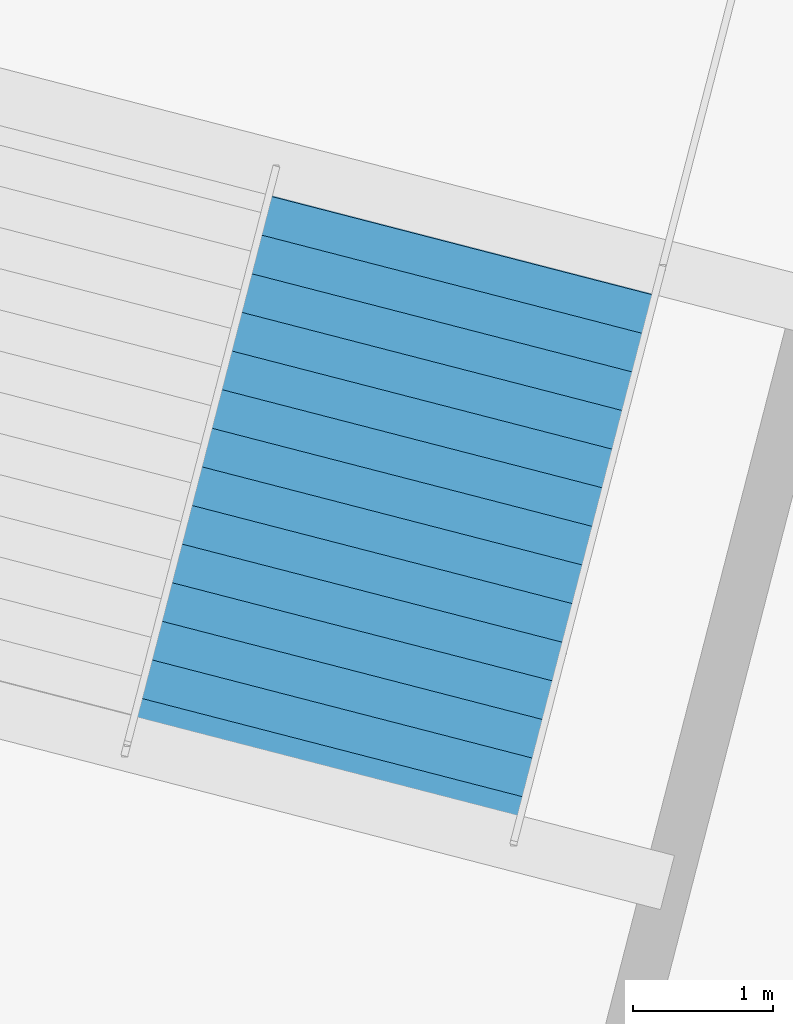
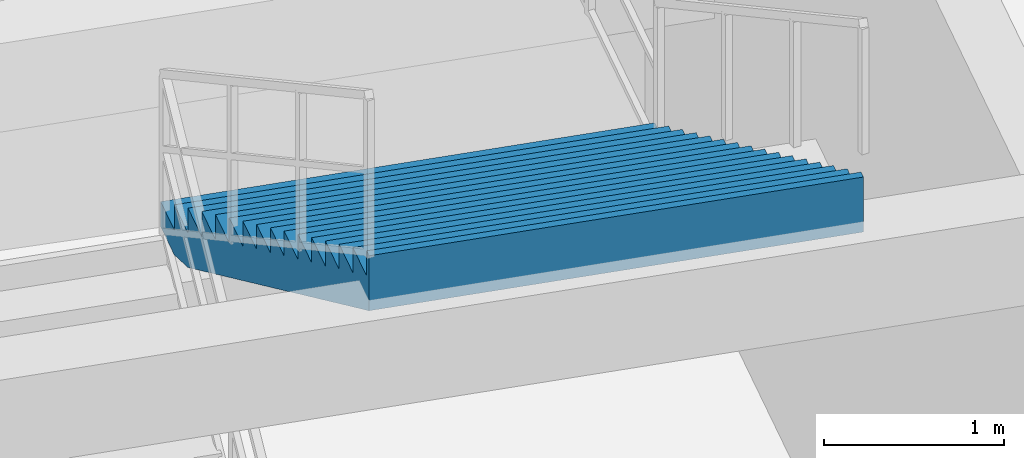
# One storey, part 29 of 49: 1 stair flight, 1 element without a shape of its own.
"""IFC4 building model written with IfcOpenShell, lengths in metres."""

from ifc_helpers import new_model, si_unit, direction, frame, origin, place, context, subcontext, project, spatial, polygons, material, type_object, element, aggregate, save


model = new_model("IFC4")

# Units and contexts
model_context = context("Model", 3, precision=1e-05, world=origin(), true_north=direction((0.0, 1.0)))
body_context = subcontext(model_context, "Body", "Model", "MODEL_VIEW")
ifc_project = project(units=[si_unit("LENGTHUNIT", "METRE"), si_unit("AREAUNIT", "SQUARE_METRE"), si_unit("VOLUMEUNIT", "CUBIC_METRE"), si_unit("PLANEANGLEUNIT", "RADIAN"), si_unit("MASSUNIT", "GRAM", prefix="KILO")], contexts=[model_context])

# Site, building, storey
site_placement = place(None, origin())
site = spatial("IfcSite", under=ifc_project, at=site_placement, CompositionType="ELEMENT")
building_placement = place(site_placement, origin())
building = spatial("IfcBuilding", under=site, at=building_placement, Name="Kazemori Nagisa Stadium", CompositionType="ELEMENT")
storey_placement = place(building_placement, frame((0.0, 0.0, -5.43994140625)))
storey = spatial("IfcBuildingStorey", under=building, at=storey_placement, Name="B1", CompositionType="ELEMENT", Elevation=-5.43994140625)

# Stair, stair flight
ifc_material = material(Name="Concrete C36/45 (Fc36)", Category="concrete")
stair_type = type_object("IfcStairType", Name="Stair_CORE_32", PredefinedType="TWO_STRAIGHT_RUN_STAIR", material=ifc_material)
stair_placement = place(storey_placement, origin())
stair = element("IfcStair", 1, at=stair_placement, inside=storey, type_object=stair_type, Name="Exit stair ST10 B1", PredefinedType="TWO_STRAIGHT_RUN_STAIR")
stair_flight_type = type_object("IfcStairFlightType", Name="Flight_CORE_16", PredefinedType="STRAIGHT", material=ifc_material)
stair_flight_placement = place(storey_placement, frame((208.92919921875, 73.53564453125, 2.719970703125), z_axis=(0.0, 0.0, 1.0), x_axis=(-0.249959194257, -0.968256371632, 0.0)))
stair_flight = element("IfcStairFlight", 2, at=stair_flight_placement, type_object=stair_flight_type, Name="Exit stair ST10 B1 flight 2", NumberOfRisers=16, NumberOfTreads=15, PredefinedType="STRAIGHT", RiserHeight=0.17, TreadLength=0.285, context=body_context, shape_type="Tessellation", body=[
    polygons([(0.0, -1.425048828125, 0.0), (0.0, -1.425048828125, 0.169921875), (0.284912109375, -1.425048828125, 0.169921875), (0.284912109375, -1.425048828125, 0.340087890625), (0.570068359375, -1.425048828125, 0.340087890625), (0.570068359375, -1.425048828125, 0.510009765625), (0.85498046875, -1.425048828125, 0.510009765625), (0.85498046875, -1.425048828125, 0.679931640625), (1.139892578125, -1.425048828125, 0.679931640625), (1.139892578125, -1.425048828125, 0.85009765625), (1.425048828125, -1.425048828125, 0.85009765625), (1.425048828125, -1.425048828125, 1.02001953125), (1.7099609375, -1.425048828125, 1.02001953125), (1.7099609375, -1.425048828125, 1.18994140625), (1.9951171875, -1.425048828125, 1.18994140625), (1.9951171875, -1.425048828125, 1.360107421875), (2.280029296875, -1.425048828125, 1.360107421875), (2.280029296875, -1.425048828125, 1.530029296875), (2.56494140625, -1.425048828125, 1.530029296875), (2.56494140625, -1.425048828125, 1.699951171875), (2.85009765625, -1.425048828125, 1.699951171875), (2.85009765625, -1.425048828125, 1.8701171875), (3.135009765625, -1.425048828125, 1.8701171875), (3.135009765625, -1.425048828125, 2.0400390625), (3.419921875, -1.425048828125, 2.0400390625), (3.419921875, -1.425048828125, 2.2099609375), (3.705078125, -1.425048828125, 2.2099609375), (3.705078125, -1.425048828125, 2.3798828125), (3.989990234375, -1.425048828125, 2.3798828125), (3.989990234375, -1.425048828125, 2.550048828125), (4.27490234375, -1.425048828125, 2.550048828125), (4.27490234375, -1.425048828125, 2.719970703125), (4.324951171875, -1.425048828125, 2.719970703125), (4.324951171875, -1.425048828125, 2.346923828125), (4.27490234375, -1.425048828125, 2.317138671875), (3.989990234375, -1.425048828125, 2.147216796875), (3.705078125, -1.425048828125, 1.977294921875), (3.419921875, -1.425048828125, 1.80712890625), (3.135009765625, -1.425048828125, 1.63720703125), (2.85009765625, -1.425048828125, 1.46728515625), (2.56494140625, -1.425048828125, 1.297119140625), (2.280029296875, -1.425048828125, 1.127197265625), (1.9951171875, -1.425048828125, 0.957275390625), (1.7099609375, -1.425048828125, 0.787109375), (1.425048828125, -1.425048828125, 0.6171875), (1.139892578125, -1.425048828125, 0.447265625), (0.85498046875, -1.425048828125, 0.277099609375), (0.570068359375, -1.425048828125, 0.107177734375), (0.284912109375, -1.425048828125, 0.0), (0.0, -0.08544921875, 0.0), (0.0, -0.08544921875, 0.169921875), (0.284912109375, -0.08544921875, 0.169921875), (0.284912109375, -0.08544921875, 0.340087890625), (0.570068359375, -0.08544921875, 0.340087890625), (0.570068359375, -0.08544921875, 0.510009765625), (0.85498046875, -0.08544921875, 0.510009765625), (0.85498046875, -0.08544921875, 0.679931640625), (1.139892578125, -0.08544921875, 0.679931640625), (1.139892578125, -0.08544921875, 0.85009765625), (1.425048828125, -0.08544921875, 0.85009765625), (1.425048828125, -0.08544921875, 1.02001953125), (1.7099609375, -0.08544921875, 1.02001953125), (1.7099609375, -0.08544921875, 1.18994140625), (1.9951171875, -0.08544921875, 1.18994140625), (1.9951171875, -0.08544921875, 1.360107421875), (2.280029296875, -0.08544921875, 1.360107421875), (2.280029296875, -0.08544921875, 1.530029296875), (2.56494140625, -0.08544921875, 1.530029296875), (2.56494140625, -0.08544921875, 1.699951171875), (2.85009765625, -0.08544921875, 1.699951171875), (2.85009765625, -0.08544921875, 1.8701171875), (3.135009765625, -0.08544921875, 1.8701171875), (3.135009765625, -0.08544921875, 2.0400390625), (3.419921875, -0.08544921875, 2.0400390625), (3.419921875, -0.08544921875, 2.2099609375), (3.705078125, -0.08544921875, 2.2099609375), (3.705078125, -0.08544921875, 2.3798828125), (3.989990234375, -0.08544921875, 2.3798828125), (3.989990234375, -0.08544921875, 2.550048828125), (4.27490234375, -0.08544921875, 2.550048828125), (4.27490234375, -0.08544921875, 2.719970703125), (4.324951171875, -0.08544921875, 2.719970703125), (4.324951171875, -0.08544921875, 2.346923828125), (4.27490234375, -0.08544921875, 2.317138671875), (3.989990234375, -0.08544921875, 2.147216796875), (3.705078125, -0.08544921875, 1.977294921875), (3.419921875, -0.08544921875, 1.80712890625), (3.135009765625, -0.08544921875, 1.63720703125), (2.85009765625, -0.08544921875, 1.46728515625), (2.56494140625, -0.08544921875, 1.297119140625), (2.280029296875, -0.08544921875, 1.127197265625), (1.9951171875, -0.08544921875, 0.957275390625), (1.7099609375, -0.08544921875, 0.787109375), (1.425048828125, -0.08544921875, 0.6171875), (1.139892578125, -0.08544921875, 0.447265625), (0.85498046875, -0.08544921875, 0.277099609375), (0.570068359375, -0.08544921875, 0.107177734375), (0.284912109375, -0.08544921875, 0.0), (0.0, 0.0, 0.0), (0.0, 0.0, 0.169921875), (0.284912109375, 0.0, 0.169921875), (0.284912109375, 0.0, 0.340087890625), (0.570068359375, 0.0, 0.340087890625), (0.570068359375, 0.0, 0.510009765625), (0.85498046875, 0.0, 0.510009765625), (0.85498046875, 0.0, 0.679931640625), (1.139892578125, 0.0, 0.679931640625), (1.139892578125, 0.0, 0.85009765625), (1.425048828125, 0.0, 0.85009765625), (1.425048828125, 0.0, 1.02001953125), (1.7099609375, 0.0, 1.02001953125), (1.7099609375, 0.0, 1.18994140625), (1.9951171875, 0.0, 1.18994140625), (1.9951171875, 0.0, 1.360107421875), (2.280029296875, 0.0, 1.360107421875), (2.280029296875, 0.0, 1.530029296875), (2.56494140625, 0.0, 1.530029296875), (2.56494140625, 0.0, 1.699951171875), (2.85009765625, 0.0, 1.699951171875), (2.85009765625, 0.0, 1.8701171875), (3.135009765625, 0.0, 1.8701171875), (3.135009765625, 0.0, 2.0400390625), (3.419921875, 0.0, 2.0400390625), (3.419921875, 0.0, 2.2099609375), (3.705078125, 0.0, 2.2099609375), (3.705078125, 0.0, 2.3798828125), (3.989990234375, 0.0, 2.3798828125), (3.989990234375, 0.0, 2.550048828125), (4.27490234375, 0.0, 2.550048828125), (4.27490234375, 0.0, 2.719970703125), (4.324951171875, 0.0, 2.719970703125), (4.324951171875, 0.0, 2.346923828125), (4.27490234375, 0.0, 2.317138671875), (3.989990234375, 0.0, 2.147216796875), (3.705078125, 0.0, 1.977294921875), (3.419921875, 0.0, 1.80712890625), (3.135009765625, 0.0, 1.63720703125), (2.85009765625, 0.0, 1.46728515625), (2.56494140625, 0.0, 1.297119140625), (2.280029296875, 0.0, 1.127197265625), (1.9951171875, 0.0, 0.957275390625), (1.7099609375, 0.0, 0.787109375), (1.425048828125, 0.0, 0.6171875), (1.139892578125, 0.0, 0.447265625), (0.85498046875, 0.0, 0.277099609375), (0.570068359375, 0.0, 0.107177734375), (0.284912109375, 0.0, 0.0), (0.0, 0.08544921875, 0.0), (0.0, 0.08544921875, 0.169921875), (0.284912109375, 0.08544921875, 0.169921875), (0.284912109375, 0.08544921875, 0.340087890625), (0.570068359375, 0.08544921875, 0.340087890625), (0.570068359375, 0.08544921875, 0.510009765625), (0.85498046875, 0.08544921875, 0.510009765625), (0.85498046875, 0.08544921875, 0.679931640625), (1.139892578125, 0.08544921875, 0.679931640625), (1.139892578125, 0.08544921875, 0.85009765625), (1.425048828125, 0.08544921875, 0.85009765625), (1.425048828125, 0.08544921875, 1.02001953125), (1.7099609375, 0.08544921875, 1.02001953125), (1.7099609375, 0.08544921875, 1.18994140625), (1.9951171875, 0.08544921875, 1.18994140625), (1.9951171875, 0.08544921875, 1.360107421875), (2.280029296875, 0.08544921875, 1.360107421875), (2.280029296875, 0.08544921875, 1.530029296875), (2.56494140625, 0.08544921875, 1.530029296875), (2.56494140625, 0.08544921875, 1.699951171875), (2.85009765625, 0.08544921875, 1.699951171875), (2.85009765625, 0.08544921875, 1.8701171875), (3.135009765625, 0.08544921875, 1.8701171875), (3.135009765625, 0.08544921875, 2.0400390625), (3.419921875, 0.08544921875, 2.0400390625), (3.419921875, 0.08544921875, 2.2099609375), (3.705078125, 0.08544921875, 2.2099609375), (3.705078125, 0.08544921875, 2.3798828125), (3.989990234375, 0.08544921875, 2.3798828125), (3.989990234375, 0.08544921875, 2.550048828125), (4.27490234375, 0.08544921875, 2.550048828125), (4.27490234375, 0.08544921875, 2.719970703125), (4.324951171875, 0.08544921875, 2.719970703125), (4.324951171875, 0.08544921875, 2.346923828125), (4.27490234375, 0.08544921875, 2.317138671875), (3.989990234375, 0.08544921875, 2.147216796875), (3.705078125, 0.08544921875, 1.977294921875), (3.419921875, 0.08544921875, 1.80712890625), (3.135009765625, 0.08544921875, 1.63720703125), (2.85009765625, 0.08544921875, 1.46728515625), (2.56494140625, 0.08544921875, 1.297119140625), (2.280029296875, 0.08544921875, 1.127197265625), (1.9951171875, 0.08544921875, 0.957275390625), (1.7099609375, 0.08544921875, 0.787109375), (1.425048828125, 0.08544921875, 0.6171875), (1.139892578125, 0.08544921875, 0.447265625), (0.85498046875, 0.08544921875, 0.277099609375), (0.570068359375, 0.08544921875, 0.107177734375), (0.284912109375, 0.08544921875, 0.0), (0.0, 1.425048828125, 0.0), (0.0, 1.425048828125, 0.169921875), (0.284912109375, 1.425048828125, 0.169921875), (0.284912109375, 1.425048828125, 0.340087890625), (0.570068359375, 1.425048828125, 0.340087890625), (0.570068359375, 1.425048828125, 0.510009765625), (0.85498046875, 1.425048828125, 0.510009765625), (0.85498046875, 1.425048828125, 0.679931640625), (1.139892578125, 1.425048828125, 0.679931640625), (1.139892578125, 1.425048828125, 0.85009765625), (1.425048828125, 1.425048828125, 0.85009765625), (1.425048828125, 1.425048828125, 1.02001953125), (1.7099609375, 1.425048828125, 1.02001953125), (1.7099609375, 1.425048828125, 1.18994140625), (1.9951171875, 1.425048828125, 1.18994140625), (1.9951171875, 1.425048828125, 1.360107421875), (2.280029296875, 1.425048828125, 1.360107421875), (2.280029296875, 1.425048828125, 1.530029296875), (2.56494140625, 1.425048828125, 1.530029296875), (2.56494140625, 1.425048828125, 1.699951171875), (2.85009765625, 1.425048828125, 1.699951171875), (2.85009765625, 1.425048828125, 1.8701171875), (3.135009765625, 1.425048828125, 1.8701171875), (3.135009765625, 1.425048828125, 2.0400390625), (3.419921875, 1.425048828125, 2.0400390625), (3.419921875, 1.425048828125, 2.2099609375), (3.705078125, 1.425048828125, 2.2099609375), (3.705078125, 1.425048828125, 2.3798828125), (3.989990234375, 1.425048828125, 2.3798828125), (3.989990234375, 1.425048828125, 2.550048828125), (4.27490234375, 1.425048828125, 2.550048828125), (4.27490234375, 1.425048828125, 2.719970703125), (4.324951171875, 1.425048828125, 2.719970703125), (4.324951171875, 1.425048828125, 2.346923828125), (4.27490234375, 1.425048828125, 2.317138671875), (3.989990234375, 1.425048828125, 2.147216796875), (3.705078125, 1.425048828125, 1.977294921875), (3.419921875, 1.425048828125, 1.80712890625), (3.135009765625, 1.425048828125, 1.63720703125), (2.85009765625, 1.425048828125, 1.46728515625), (2.56494140625, 1.425048828125, 1.297119140625), (2.280029296875, 1.425048828125, 1.127197265625), (1.9951171875, 1.425048828125, 0.957275390625), (1.7099609375, 1.425048828125, 0.787109375), (1.425048828125, 1.425048828125, 0.6171875), (1.139892578125, 1.425048828125, 0.447265625), (0.85498046875, 1.425048828125, 0.277099609375), (0.570068359375, 1.425048828125, 0.107177734375), (0.284912109375, 1.425048828125, 0.0)], [[[1, 2, 51]], [[1, 51, 50]], [[2, 3, 52]], [[2, 52, 51]], [[3, 4, 53]], [[3, 53, 52]], [[4, 5, 54]], [[4, 54, 53]], [[5, 6, 55]], [[5, 55, 54]], [[6, 7, 56]], [[6, 56, 55]], [[7, 8, 57]], [[7, 57, 56]], [[8, 9, 58]], [[8, 58, 57]], [[9, 10, 59]], [[9, 59, 58]], [[10, 11, 60]], [[10, 60, 59]], [[11, 12, 61]], [[11, 61, 60]], [[12, 13, 62]], [[12, 62, 61]], [[13, 14, 63]], [[13, 63, 62]], [[14, 15, 64]], [[14, 64, 63]], [[15, 16, 65]], [[15, 65, 64]], [[16, 17, 66]], [[16, 66, 65]], [[17, 18, 67]], [[17, 67, 66]], [[18, 19, 68]], [[18, 68, 67]], [[19, 20, 69]], [[19, 69, 68]], [[20, 21, 70]], [[20, 70, 69]], [[21, 22, 71]], [[21, 71, 70]], [[22, 23, 72]], [[22, 72, 71]], [[23, 24, 73]], [[23, 73, 72]], [[24, 25, 74]], [[24, 74, 73]], [[25, 26, 75]], [[25, 75, 74]], [[26, 27, 76]], [[26, 76, 75]], [[27, 28, 77]], [[27, 77, 76]], [[28, 29, 78]], [[28, 78, 77]], [[29, 30, 79]], [[29, 79, 78]], [[30, 31, 80]], [[30, 80, 79]], [[31, 32, 81]], [[31, 81, 80]], [[32, 33, 82]], [[32, 82, 81]], [[33, 34, 83]], [[33, 83, 82]], [[34, 35, 84]], [[34, 84, 83]], [[35, 36, 85]], [[35, 85, 84]], [[36, 37, 86]], [[36, 86, 85]], [[37, 38, 87]], [[37, 87, 86]], [[38, 39, 88]], [[38, 88, 87]], [[39, 40, 89]], [[39, 89, 88]], [[40, 41, 90]], [[40, 90, 89]], [[41, 42, 91]], [[41, 91, 90]], [[42, 43, 92]], [[42, 92, 91]], [[43, 44, 93]], [[43, 93, 92]], [[44, 45, 94]], [[44, 94, 93]], [[45, 46, 95]], [[45, 95, 94]], [[46, 47, 96]], [[46, 96, 95]], [[47, 48, 97]], [[47, 97, 96]], [[48, 49, 98]], [[48, 98, 97]], [[49, 1, 50]], [[49, 50, 98]], [[50, 51, 100]], [[50, 100, 99]], [[51, 52, 101]], [[51, 101, 100]], [[52, 53, 102]], [[52, 102, 101]], [[53, 54, 103]], [[53, 103, 102]], [[54, 55, 104]], [[54, 104, 103]], [[55, 56, 105]], [[55, 105, 104]], [[56, 57, 106]], [[56, 106, 105]], [[57, 58, 107]], [[57, 107, 106]], [[58, 59, 108]], [[58, 108, 107]], [[59, 60, 109]], [[59, 109, 108]], [[60, 61, 110]], [[60, 110, 109]], [[61, 62, 111]], [[61, 111, 110]], [[62, 63, 112]], [[62, 112, 111]], [[63, 64, 113]], [[63, 113, 112]], [[64, 65, 114]], [[64, 114, 113]], [[65, 66, 115]], [[65, 115, 114]], [[66, 67, 116]], [[66, 116, 115]], [[67, 68, 117]], [[67, 117, 116]], [[68, 69, 118]], [[68, 118, 117]], [[69, 70, 119]], [[69, 119, 118]], [[70, 71, 120]], [[70, 120, 119]], [[71, 72, 121]], [[71, 121, 120]], [[72, 73, 122]], [[72, 122, 121]], [[73, 74, 123]], [[73, 123, 122]], [[74, 75, 124]], [[74, 124, 123]], [[75, 76, 125]], [[75, 125, 124]], [[76, 77, 126]], [[76, 126, 125]], [[77, 78, 127]], [[77, 127, 126]], [[78, 79, 128]], [[78, 128, 127]], [[79, 80, 129]], [[79, 129, 128]], [[80, 81, 130]], [[80, 130, 129]], [[81, 82, 131]], [[81, 131, 130]], [[82, 83, 132]], [[82, 132, 131]], [[83, 84, 133]], [[83, 133, 132]], [[84, 85, 134]], [[84, 134, 133]], [[85, 86, 135]], [[85, 135, 134]], [[86, 87, 136]], [[86, 136, 135]], [[87, 88, 137]], [[87, 137, 136]], [[88, 89, 138]], [[88, 138, 137]], [[89, 90, 139]], [[89, 139, 138]], [[90, 91, 140]], [[90, 140, 139]], [[91, 92, 141]], [[91, 141, 140]], [[92, 93, 142]], [[92, 142, 141]], [[93, 94, 143]], [[93, 143, 142]], [[94, 95, 144]], [[94, 144, 143]], [[95, 96, 145]], [[95, 145, 144]], [[96, 97, 146]], [[96, 146, 145]], [[97, 98, 147]], [[97, 147, 146]], [[98, 50, 99]], [[98, 99, 147]], [[99, 100, 149]], [[99, 149, 148]], [[100, 101, 150]], [[100, 150, 149]], [[101, 102, 151]], [[101, 151, 150]], [[102, 103, 152]], [[102, 152, 151]], [[103, 104, 153]], [[103, 153, 152]], [[104, 105, 154]], [[104, 154, 153]], [[105, 106, 155]], [[105, 155, 154]], [[106, 107, 156]], [[106, 156, 155]], [[107, 108, 157]], [[107, 157, 156]], [[108, 109, 158]], [[108, 158, 157]], [[109, 110, 159]], [[109, 159, 158]], [[110, 111, 160]], [[110, 160, 159]], [[111, 112, 161]], [[111, 161, 160]], [[112, 113, 162]], [[112, 162, 161]], [[113, 114, 163]], [[113, 163, 162]], [[114, 115, 164]], [[114, 164, 163]], [[115, 116, 165]], [[115, 165, 164]], [[116, 117, 166]], [[116, 166, 165]], [[117, 118, 167]], [[117, 167, 166]], [[118, 119, 168]], [[118, 168, 167]], [[119, 120, 169]], [[119, 169, 168]], [[120, 121, 170]], [[120, 170, 169]], [[121, 122, 171]], [[121, 171, 170]], [[122, 123, 172]], [[122, 172, 171]], [[123, 124, 173]], [[123, 173, 172]], [[124, 125, 174]], [[124, 174, 173]], [[125, 126, 175]], [[125, 175, 174]], [[126, 127, 176]], [[126, 176, 175]], [[127, 128, 177]], [[127, 177, 176]], [[128, 129, 178]], [[128, 178, 177]], [[129, 130, 179]], [[129, 179, 178]], [[130, 131, 180]], [[130, 180, 179]], [[131, 132, 181]], [[131, 181, 180]], [[132, 133, 182]], [[132, 182, 181]], [[133, 134, 183]], [[133, 183, 182]], [[134, 135, 184]], [[134, 184, 183]], [[135, 136, 185]], [[135, 185, 184]], [[136, 137, 186]], [[136, 186, 185]], [[137, 138, 187]], [[137, 187, 186]], [[138, 139, 188]], [[138, 188, 187]], [[139, 140, 189]], [[139, 189, 188]], [[140, 141, 190]], [[140, 190, 189]], [[141, 142, 191]], [[141, 191, 190]], [[142, 143, 192]], [[142, 192, 191]], [[143, 144, 193]], [[143, 193, 192]], [[144, 145, 194]], [[144, 194, 193]], [[145, 146, 195]], [[145, 195, 194]], [[146, 147, 196]], [[146, 196, 195]], [[147, 99, 148]], [[147, 148, 196]], [[148, 149, 198]], [[148, 198, 197]], [[149, 150, 199]], [[149, 199, 198]], [[150, 151, 200]], [[150, 200, 199]], [[151, 152, 201]], [[151, 201, 200]], [[152, 153, 202]], [[152, 202, 201]], [[153, 154, 203]], [[153, 203, 202]], [[154, 155, 204]], [[154, 204, 203]], [[155, 156, 205]], [[155, 205, 204]], [[156, 157, 206]], [[156, 206, 205]], [[157, 158, 207]], [[157, 207, 206]], [[158, 159, 208]], [[158, 208, 207]], [[159, 160, 209]], [[159, 209, 208]], [[160, 161, 210]], [[160, 210, 209]], [[161, 162, 211]], [[161, 211, 210]], [[162, 163, 212]], [[162, 212, 211]], [[163, 164, 213]], [[163, 213, 212]], [[164, 165, 214]], [[164, 214, 213]], [[165, 166, 215]], [[165, 215, 214]], [[166, 167, 216]], [[166, 216, 215]], [[167, 168, 217]], [[167, 217, 216]], [[168, 169, 218]], [[168, 218, 217]], [[169, 170, 219]], [[169, 219, 218]], [[170, 171, 220]], [[170, 220, 219]], [[171, 172, 221]], [[171, 221, 220]], [[172, 173, 222]], [[172, 222, 221]], [[173, 174, 223]], [[173, 223, 222]], [[174, 175, 224]], [[174, 224, 223]], [[175, 176, 225]], [[175, 225, 224]], [[176, 177, 226]], [[176, 226, 225]], [[177, 178, 227]], [[177, 227, 226]], [[178, 179, 228]], [[178, 228, 227]], [[179, 180, 229]], [[179, 229, 228]], [[180, 181, 230]], [[180, 230, 229]], [[181, 182, 231]], [[181, 231, 230]], [[182, 183, 232]], [[182, 232, 231]], [[183, 184, 233]], [[183, 233, 232]], [[184, 185, 234]], [[184, 234, 233]], [[185, 186, 235]], [[185, 235, 234]], [[186, 187, 236]], [[186, 236, 235]], [[187, 188, 237]], [[187, 237, 236]], [[188, 189, 238]], [[188, 238, 237]], [[189, 190, 239]], [[189, 239, 238]], [[190, 191, 240]], [[190, 240, 239]], [[191, 192, 241]], [[191, 241, 240]], [[192, 193, 242]], [[192, 242, 241]], [[193, 194, 243]], [[193, 243, 242]], [[194, 195, 244]], [[194, 244, 243]], [[195, 196, 245]], [[195, 245, 244]], [[196, 148, 197]], [[196, 197, 245]], [[3, 2, 1]], [[197, 198, 199]], [[49, 3, 1]], [[197, 199, 245]], [[48, 3, 49]], [[245, 199, 244]], [[5, 3, 48]], [[244, 199, 201]], [[5, 4, 3]], [[199, 200, 201]], [[47, 5, 48]], [[244, 201, 243]], [[7, 5, 47]], [[243, 201, 203]], [[7, 6, 5]], [[201, 202, 203]], [[46, 7, 47]], [[243, 203, 242]], [[9, 7, 46]], [[242, 203, 205]], [[9, 8, 7]], [[203, 204, 205]], [[45, 9, 46]], [[242, 205, 241]], [[11, 9, 45]], [[241, 205, 207]], [[11, 10, 9]], [[205, 206, 207]], [[44, 11, 45]], [[241, 207, 240]], [[13, 11, 44]], [[240, 207, 209]], [[13, 12, 11]], [[207, 208, 209]], [[43, 13, 44]], [[240, 209, 239]], [[15, 13, 43]], [[239, 209, 211]], [[15, 14, 13]], [[209, 210, 211]], [[42, 15, 43]], [[239, 211, 238]], [[17, 15, 42]], [[238, 211, 213]], [[17, 16, 15]], [[211, 212, 213]], [[41, 17, 42]], [[238, 213, 237]], [[19, 17, 41]], [[237, 213, 215]], [[19, 18, 17]], [[213, 214, 215]], [[40, 19, 41]], [[237, 215, 236]], [[21, 19, 40]], [[236, 215, 217]], [[21, 20, 19]], [[215, 216, 217]], [[39, 21, 40]], [[236, 217, 235]], [[23, 21, 39]], [[235, 217, 219]], [[23, 22, 21]], [[217, 218, 219]], [[38, 23, 39]], [[235, 219, 234]], [[25, 23, 38]], [[234, 219, 221]], [[25, 24, 23]], [[219, 220, 221]], [[37, 25, 38]], [[234, 221, 233]], [[27, 25, 37]], [[233, 221, 223]], [[27, 26, 25]], [[221, 222, 223]], [[36, 27, 37]], [[233, 223, 232]], [[29, 27, 36]], [[232, 223, 225]], [[29, 28, 27]], [[223, 224, 225]], [[35, 29, 36]], [[232, 225, 231]], [[31, 29, 35]], [[231, 225, 227]], [[31, 30, 29]], [[225, 226, 227]], [[34, 31, 35]], [[231, 227, 230]], [[33, 31, 34]], [[230, 227, 229]], [[33, 32, 31]], [[227, 228, 229]]], closed=True),
])
aggregate(stair, [stair_flight])

save(model, "model.ifc")
